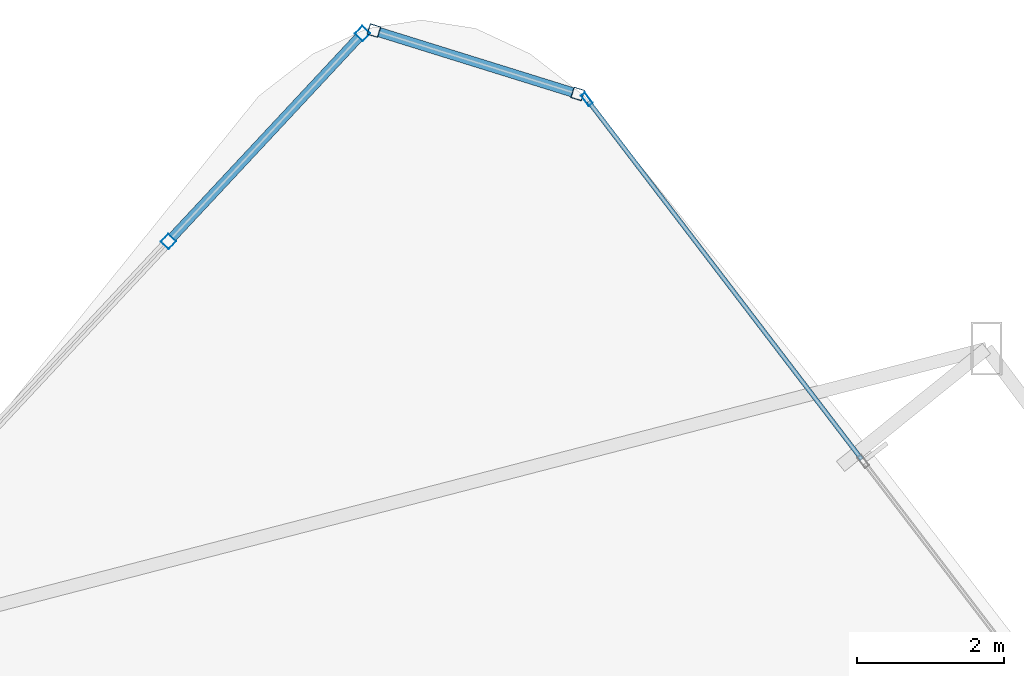
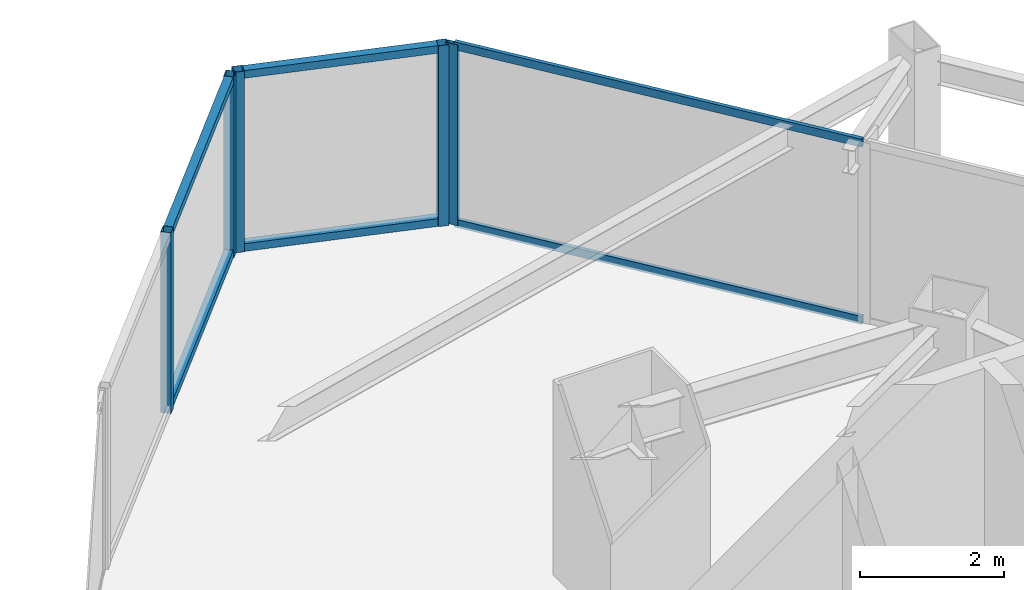
# One storey, part 24 of 34: 11 members, 3 elements without a shape of their own.
"""IFC4 building model written with IfcOpenShell, lengths in metres."""

from ifc_helpers import new_model, si_unit, direction, frame, origin, origin_2d, place, context, subcontext, project, spatial, hollow_rectangle, extrude, material, layer, layer_set, material_profile, profile_set, type_object, element, aggregate, save


model = new_model("IFC4")

# Units and contexts
model_context = context("Model", 3, precision=1e-05, world=origin(), true_north=direction((0.0, 1.0)))
body_context = subcontext(model_context, "Body", "Model", "MODEL_VIEW")
ifc_project = project(units=[si_unit("LENGTHUNIT", "METRE"), si_unit("AREAUNIT", "SQUARE_METRE"), si_unit("VOLUMEUNIT", "CUBIC_METRE"), si_unit("PLANEANGLEUNIT", "RADIAN"), si_unit("MASSUNIT", "GRAM", prefix="KILO")], contexts=[model_context])

# Site, building, storey
site_placement = place(None, origin())
site = spatial("IfcSite", under=ifc_project, at=site_placement, CompositionType="ELEMENT")
building_placement = place(site_placement, origin())
building = spatial("IfcBuilding", under=site, at=building_placement, Name="Orvanel Arch Residences", CompositionType="ELEMENT")
storey_placement = place(building_placement, frame((0.0, 0.0, 64.25)))
storey = spatial("IfcBuildingStorey", under=building, at=storey_placement, Name="L17", CompositionType="ELEMENT", Elevation=64.25)

# Curtain wall, members
ifc_material = material(Name="Bronze-anodised aluminium AA6063-T6", Category="aluminium")
ifc_layer_1 = layer(ifc_material, 0.18994140625)
ifc_layer_set_1 = layer_set([ifc_layer_1], Name="Bronze-anodised aluminium AA6063-T6")
curtain_wall_type_1 = type_object("IfcCurtainWallType", Name="CW5-CRN-SYS", PredefinedType="NOTDEFINED", material=ifc_layer_set_1)
curtain_wall_1_placement = place(storey_placement, origin())
curtain_wall_1 = element("IfcCurtainWall", 1, at=curtain_wall_1_placement, inside=storey, type_object=curtain_wall_type_1, Name="L17 CW5-CRN-SYS Unitised Curtain Wall", PredefinedType="NOTDEFINED")
ifc_material_profile_1 = material_profile(ifc_material, hollow_rectangle(XDim=0.14990234375, YDim=0.14990234375, WallThickness=0.0048828125, at=origin_2d()), Name="ALU150x150x5")
ifc_profile_set_1 = profile_set([ifc_material_profile_1], Name="Bronze-anodised aluminium AA6063-T6")
member_type_1 = type_object("IfcMemberType", Name="MUL-150x150", PredefinedType="MULLION", material=ifc_profile_set_1)
member_1_placement = place(storey_placement, frame((35.124267578125, 50.331298828125, 0.0), z_axis=(0.0, 0.0, 1.0), x_axis=(-0.297099736477, -0.954846451837, 0.0)))
member_1 = element("IfcMember", 2, at=member_1_placement, type_object=member_type_1, Name="CW-S5 mullion 1", PredefinedType="MULLION", context=body_context, shape_type="SweptSolid", body=[
    extrude(hollow_rectangle(XDim=0.14990234375, YDim=0.14990234375, WallThickness=0.0048828125, at=origin_2d()), origin(), (0.0, 0.0, 1.0), 3.06005859375),
])
member_2_placement = place(storey_placement, frame((32.3525390625, 51.193603515625, 0.0), z_axis=(0.0, 0.0, 1.0), x_axis=(-0.297099736477, -0.954846451837, 0.0)))
member_2 = element("IfcMember", 3, at=member_2_placement, type_object=member_type_1, Name="CW-S5 mullion 2", PredefinedType="MULLION", context=body_context, shape_type="SweptSolid", body=[
    extrude(hollow_rectangle(XDim=0.14990234375, YDim=0.14990234375, WallThickness=0.0048828125, at=origin_2d()), origin(), (0.0, 0.0, 1.0), 3.06005859375),
])

curtain_wall_2_placement = place(storey_placement, origin())
curtain_wall_2 = element("IfcCurtainWall", 4, at=curtain_wall_2_placement, inside=storey, type_object=curtain_wall_type_1, Name="L17 CW5-CRN-SYS Unitised Curtain Wall", PredefinedType="NOTDEFINED")
member_3_placement = place(storey_placement, frame((32.19677734375, 51.152099609375, 0.0), z_axis=(0.0, 0.0, 1.0), x_axis=(0.731034183828, -0.682340840105, 0.0)))
member_3 = element("IfcMember", 5, at=member_3_placement, type_object=member_type_1, Name="CW-S5 mullion 1", PredefinedType="MULLION", context=body_context, shape_type="SweptSolid", body=[
    extrude(hollow_rectangle(XDim=0.14990234375, YDim=0.14990234375, WallThickness=0.0048828125, at=origin_2d()), origin(), (0.0, 0.0, 1.0), 3.06005859375),
])
member_4_placement = place(storey_placement, frame((29.5576171875, 48.324462890625, 0.0), z_axis=(0.0, 0.0, 1.0), x_axis=(0.731034183828, -0.682340840105, 0.0)))
member_4 = element("IfcMember", 6, at=member_4_placement, type_object=member_type_1, Name="CW-S5 mullion 2", PredefinedType="MULLION", context=body_context, shape_type="SweptSolid", body=[
    extrude(hollow_rectangle(XDim=0.14990234375, YDim=0.14990234375, WallThickness=0.0048828125, at=origin_2d()), origin(), (0.0, 0.0, 1.0), 3.06005859375),
])

# Curtain wall, member
ifc_layer_2 = layer(ifc_material, 0.179931640625)
ifc_layer_set_2 = layer_set([ifc_layer_2], Name="Bronze-anodised aluminium AA6063-T6")
curtain_wall_type_2 = type_object("IfcCurtainWallType", Name="CW2-LOW-SYS", PredefinedType="NOTDEFINED", material=ifc_layer_set_2)
curtain_wall_3_placement = place(storey_placement, origin())
curtain_wall_3 = element("IfcCurtainWall", 7, at=curtain_wall_3_placement, inside=storey, type_object=curtain_wall_type_2, Name="L17 CW2-LOW-SYS Unitised Curtain Wall", PredefinedType="NOTDEFINED")
ifc_material_profile_2 = material_profile(ifc_material, hollow_rectangle(XDim=0.070068359375, YDim=0.179931640625, WallThickness=0.00439453125, at=origin_2d()), Name="ALU180x70x4.5")
ifc_profile_set_2 = profile_set([ifc_material_profile_2], Name="Bronze-anodised aluminium AA6063-T6")
member_type_2 = type_object("IfcMemberType", Name="MUL-180x70", PredefinedType="MULLION", material=ifc_profile_set_2)
member_5_placement = place(storey_placement, frame((35.248291015625, 50.25927734375, 0.0), z_axis=(0.0, 0.0, 1.0), x_axis=(-0.794898267581, -0.606742733122, 0.0)))
member_5 = element("IfcMember", 8, at=member_5_placement, type_object=member_type_2, Name="CW-S2 mullion 4", PredefinedType="MULLION", context=body_context, shape_type="SweptSolid", body=[
    extrude(hollow_rectangle(XDim=0.070068359375, YDim=0.179931640625, WallThickness=0.00439453125, at=origin_2d()), origin(), (0.0, 0.0, 1.0), 3.06005859375),
])

# Member
ifc_material_profile_3 = material_profile(ifc_material, hollow_rectangle(XDim=0.1298828125, YDim=0.1298828125, WallThickness=0.00439453125, at=origin_2d()), Name="ALU130x130x4.5")
ifc_profile_set_3 = profile_set([ifc_material_profile_3], Name="Bronze-anodised aluminium AA6063-T6")
member_type_3 = type_object("IfcMemberType", Name="TRN-130x130", PredefinedType="USERDEFINED", material=ifc_profile_set_3)
member_6_placement = place(storey_placement, frame((35.052734375, 50.353515625, 0.06494140625), z_axis=(-0.954842239685, 0.297113273541, 0.0), x_axis=(-0.297113273541, -0.954842239685, 0.0)))
member_6 = element("IfcMember", 9, at=member_6_placement, type_object=member_type_3, Name="CW-S5 transom 1.1", ObjectType="TRANSOM", PredefinedType="USERDEFINED", context=body_context, shape_type="SweptSolid", body=[
    extrude(hollow_rectangle(XDim=0.1298828125, YDim=0.1298828125, WallThickness=0.00439453125, at=origin_2d()), origin(), (0.0, 0.0, 1.0), 2.752685546875),
])

member_7_placement = place(storey_placement, frame((35.052734375, 50.353515625, 2.9951171875), z_axis=(-0.954842239685, 0.297113273541, 0.0), x_axis=(-0.297113273541, -0.954842239685, 0.0)))
member_7 = element("IfcMember", 10, at=member_7_placement, type_object=member_type_3, Name="CW-S5 transom 1.2", ObjectType="TRANSOM", PredefinedType="USERDEFINED", context=body_context, shape_type="SweptSolid", body=[
    extrude(hollow_rectangle(XDim=0.1298828125, YDim=0.1298828125, WallThickness=0.00439453125, at=origin_2d()), origin(), (0.0, 0.0, 1.0), 2.752685546875),
])

aggregate(curtain_wall_1, [member_1, member_2, member_6, member_7])

member_8_placement = place(storey_placement, frame((32.145751953125, 51.097412109375, 0.06494140625), z_axis=(-0.682360360302, -0.731015963361, 0.0), x_axis=(0.731015963361, -0.682360360302, 0.0)))
member_8 = element("IfcMember", 11, at=member_8_placement, type_object=member_type_3, Name="CW-S5 transom 1.1", ObjectType="TRANSOM", PredefinedType="USERDEFINED", context=body_context, shape_type="SweptSolid", body=[
    extrude(hollow_rectangle(XDim=0.1298828125, YDim=0.1298828125, WallThickness=0.00439453125, at=origin_2d()), origin(), (0.0, 0.0, 1.0), 3.718017578125),
])

member_9_placement = place(storey_placement, frame((32.145751953125, 51.097412109375, 2.9951171875), z_axis=(-0.682360360302, -0.731015963361, 0.0), x_axis=(0.731015963361, -0.682360360302, 0.0)))
member_9 = element("IfcMember", 12, at=member_9_placement, type_object=member_type_3, Name="CW-S5 transom 1.2", ObjectType="TRANSOM", PredefinedType="USERDEFINED", context=body_context, shape_type="SweptSolid", body=[
    extrude(hollow_rectangle(XDim=0.1298828125, YDim=0.1298828125, WallThickness=0.00439453125, at=origin_2d()), origin(), (0.0, 0.0, 1.0), 3.718017578125),
])

aggregate(curtain_wall_2, [member_3, member_4, member_8, member_9])

ifc_material_profile_4 = material_profile(ifc_material, hollow_rectangle(XDim=0.06005859375, YDim=0.135009765625, WallThickness=0.00390625, at=origin_2d()), Name="ALU135x60x4")
ifc_profile_set_4 = profile_set([ifc_material_profile_4], Name="Bronze-anodised aluminium AA6063-T6")
member_type_4 = type_object("IfcMemberType", Name="TRN-135x60", PredefinedType="USERDEFINED", material=ifc_profile_set_4)
member_10_placement = place(storey_placement, frame((38.985107421875, 45.363525390625, 0.030029296875), z_axis=(-0.606733650024, 0.794905200593, 0.0), x_axis=(-0.794905200593, -0.606733650024, 0.0)))
member_10 = element("IfcMember", 13, at=member_10_placement, type_object=member_type_4, Name="CW-S2 transom 3.1", ObjectType="TRANSOM", PredefinedType="USERDEFINED", context=body_context, shape_type="SweptSolid", body=[
    extrude(hollow_rectangle(XDim=0.06005859375, YDim=0.135009765625, WallThickness=0.00390625, at=origin_2d()), origin(), (0.0, 0.0, 1.0), 6.123779296875),
])

member_11_placement = place(storey_placement, frame((38.985107421875, 45.363525390625, 3.030029296875), z_axis=(-0.606733650024, 0.794905200593, 0.0), x_axis=(-0.794905200593, -0.606733650024, 0.0)))
member_11 = element("IfcMember", 14, at=member_11_placement, type_object=member_type_4, Name="CW-S2 transom 3.2", ObjectType="TRANSOM", PredefinedType="USERDEFINED", context=body_context, shape_type="SweptSolid", body=[
    extrude(hollow_rectangle(XDim=0.06005859375, YDim=0.135009765625, WallThickness=0.00390625, at=origin_2d()), origin(), (0.0, 0.0, 1.0), 6.123779296875),
])

aggregate(curtain_wall_3, [member_5, member_10, member_11])

save(model, "model.ifc")
